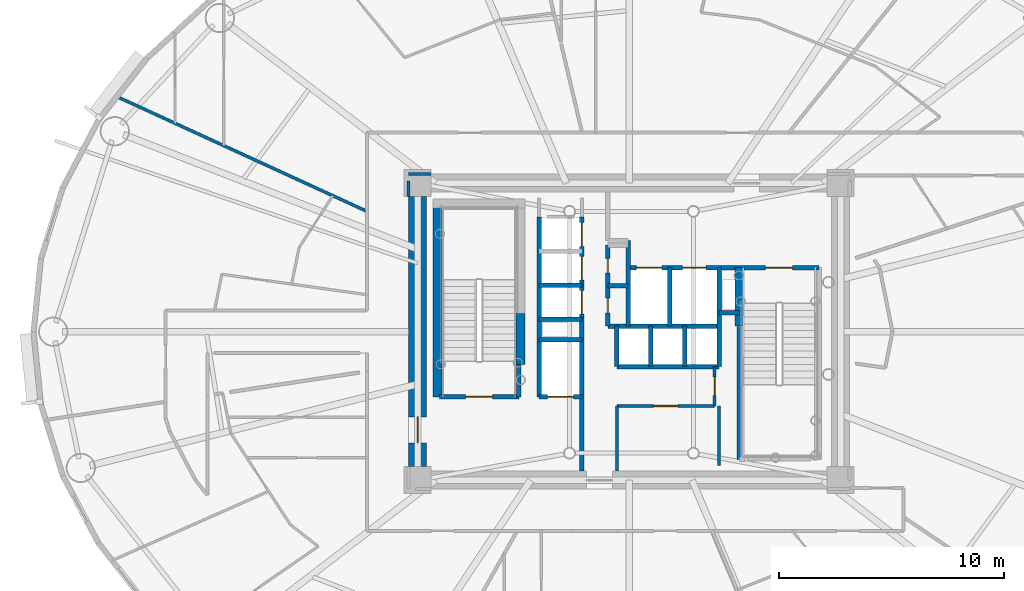
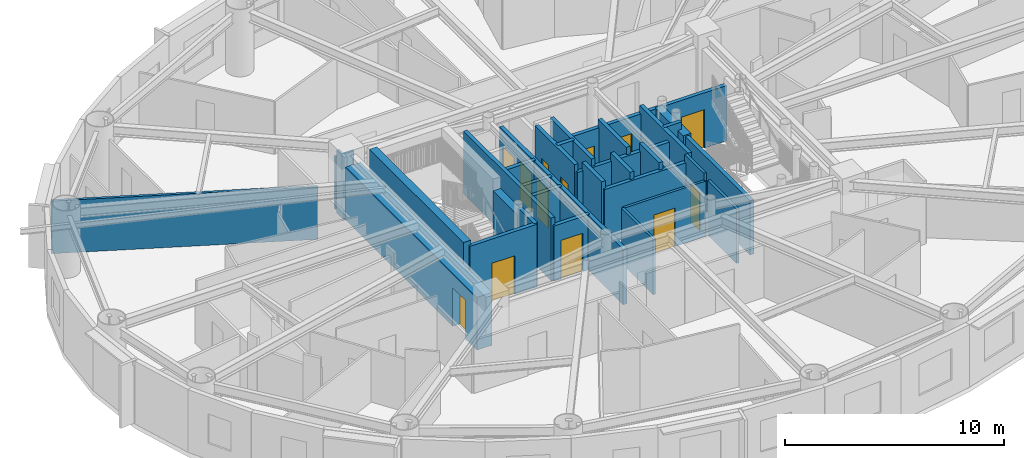
# One storey, part 8 of 18: 32 walls, 13 doors, 13 openings.
"""IFC4 building model written with IfcOpenShell, lengths in metres."""

from ifc_helpers import new_model, si_unit, direction, frame, frame_2d, origin, origin_2d, place, context, subcontext, project, spatial, rectangle, extrude, source, transform, mapped, material, layer, layer_set, type_object, element, fill, save


model = new_model("IFC4")

# Units and contexts
model_context = context("Model", 3, precision=1e-05, world=origin(), true_north=direction((0.0, 1.0)))
body_context = subcontext(model_context, "Body", "Model", "MODEL_VIEW")
ifc_project = project(units=[si_unit("LENGTHUNIT", "METRE"), si_unit("AREAUNIT", "SQUARE_METRE"), si_unit("VOLUMEUNIT", "CUBIC_METRE"), si_unit("PLANEANGLEUNIT", "RADIAN"), si_unit("MASSUNIT", "GRAM", prefix="KILO")], contexts=[model_context])

# Site, building, storey
site_placement = place(None, origin())
site = spatial("IfcSite", under=ifc_project, at=site_placement, CompositionType="ELEMENT")
building_placement = place(site_placement, origin())
building = spatial("IfcBuilding", under=site, at=building_placement, Name="Linh Dai School and Residence Tower", CompositionType="ELEMENT")
storey_placement = place(building_placement, frame((0.0, 0.0, 159.89990234375)))
storey = spatial("IfcBuildingStorey", under=building, at=storey_placement, Name="L38", CompositionType="ELEMENT", Elevation=159.89990234375)

# Walls
ifc_material_1 = material(Name="Autoclaved Aerated Concrete Blockwork", Category="masonry")
ifc_layer_1 = layer(ifc_material_1, 0.135009765625)
ifc_layer_set_1 = layer_set([ifc_layer_1], Name="Autoclaved Aerated Concrete Blockwork")
wall_type_1 = type_object("IfcWallType", Name="IW-CORR-135-EI90", PredefinedType="PARTITIONING", material=ifc_layer_set_1)
wall_1_placement = place(storey_placement, frame((13.228515625, 37.449951171875, 0.0), z_axis=(0.0, 0.0, 1.0), x_axis=(0.908867611309, -0.417084721746, 0.0)))
element("IfcWall", 1, at=wall_1_placement, inside=storey, type_object=wall_type_1, Name="L38 Interior Partition Wall 003", PredefinedType="PARTITIONING", context=body_context, shape_type="SweptSolid", body=[
    extrude(rectangle(XDim=12.23681640625, YDim=0.135009765625, at=frame_2d((6.118408203125, 0.0))), origin(), (0.0, 0.0, 1.0), 2.93505859375),
])
wall_2_placement = place(storey_placement, frame((35.449951171875, 20.800048828125, 0.0), z_axis=(0.0, 0.0, 1.0), x_axis=(0.0, 1.0, 0.0)))
element("IfcWall", 2, at=wall_2_placement, inside=storey, type_object=wall_type_1, Name="L38 Interior Partition Wall 054", PredefinedType="PARTITIONING", context=body_context, shape_type="SweptSolid", body=[
    extrude(rectangle(XDim=2.89990234375, YDim=0.135009765625, at=frame_2d((1.449951171875, 0.0))), origin(), (0.0, 0.0, 1.0), 3.085205078125),
])

# Wall, opening, door
wall_3_placement = place(storey_placement, frame((35.449951171875, 23.699951171875, 0.0), z_axis=(0.0, 0.0, 1.0), x_axis=(1.0, 0.0, 0.0)))
wall_3 = element("IfcWall", 3, at=wall_3_placement, inside=storey, type_object=wall_type_1, Name="L38 Interior Partition Wall 055", PredefinedType="PARTITIONING", context=body_context, shape_type="SweptSolid", body=[
    extrude(rectangle(XDim=4.35009765625, YDim=0.135009765625, at=frame_2d((2.175048828125, 0.0))), origin(), (0.0, 0.0, 1.0), 3.085205078125),
])
opening_1_placement = place(wall_3_placement, frame((1.625, 0.0, 0.0)))
opening_1 = element("IfcOpeningElement", 4, at=opening_1_placement, cuts=wall_3, Name="Opening D07", PredefinedType="OPENING", context=body_context, shape_type="SweptSolid", body=[
    extrude(rectangle(XDim=1.10009765625, YDim=2.14990234375, at=origin_2d()), frame((0.550048828125, 0.07763671875, 1.074951171875), z_axis=(0.0, -1.0, 0.0), x_axis=(1.0, 0.0, 0.0)), (0.0, 0.0, 1.0), 0.155029296875),
])
ifc_material_2 = material(Name="Fire-Rated Louvred Steel Plant Door", Category="steel")
door_type_1 = type_object("IfcDoorType", Name="DR-PLT-1100x2150-FD60S", OperationType="NOTDEFINED", PredefinedType="DOOR", material=ifc_material_2)
shared_shape_1 = source(origin(), body_context, "Body", "SweptSolid", [
    extrude(rectangle(XDim=1.10009765625, YDim=2.14990234375, at=origin_2d()), frame((0.550048828125, 0.02490234375, 1.074951171875), z_axis=(0.0, -1.0, 0.0), x_axis=(1.0, 0.0, 0.0)), (0.0, 0.0, 1.0), 0.050048828125),
])
door_1_placement = place(opening_1_placement, origin())
door_1 = element("IfcDoor", 5, at=door_1_placement, inside=storey, type_object=door_type_1, Name="L38 Tenant Metering and BMS Room Door", OperationType="SINGLE_SWING_LEFT", OverallHeight=2.14990234375, OverallWidth=1.10009765625, PredefinedType="DOOR", context=body_context, shape_type="MappedRepresentation", body=[
    mapped(shared_shape_1, transform((0.0, 0.0, 0.0), x_axis=(1.0, 0.0, 0.0), y_axis=(0.0, 1.0, 0.0), z_axis=(0.0, 0.0, 1.0), scale=1.0)),
])
fill(opening_1, door_1)

wall_4_placement = place(storey_placement, frame((39.800048828125, 23.699951171875, 0.0), z_axis=(0.0, 0.0, 1.0), x_axis=(0.0, 1.0, 0.0)))
wall_4 = element("IfcWall", 6, at=wall_4_placement, inside=storey, type_object=wall_type_1, Name="L38 Interior Partition Wall 067", PredefinedType="PARTITIONING", context=body_context, shape_type="SweptSolid", body=[
    extrude(rectangle(XDim=1.75, YDim=0.135009765625, at=frame_2d((0.875, 0.0))), origin(), (0.0, 0.0, 1.0), 3.5),
])
opening_2_placement = place(wall_4_placement, frame((0.465087890625, 0.0, 0.0)))
opening_2 = element("IfcOpeningElement", 7, at=opening_2_placement, cuts=wall_4, Name="Opening D06", PredefinedType="OPENING", context=body_context, shape_type="SweptSolid", body=[
    extrude(rectangle(XDim=0.820068359375, YDim=2.10009765625, at=origin_2d()), frame((0.41015625, 0.07763671875, 1.050048828125), z_axis=(0.0, -1.0, 0.0), x_axis=(1.0, 0.0, 0.0)), (0.0, 0.0, 1.0), 0.155029296875),
])
ifc_material_3 = material(Name="Moisture-Resistant Timber Bathroom Door", Category="wood")
door_type_2 = type_object("IfcDoorType", Name="DR-WET-820x2100", OperationType="NOTDEFINED", PredefinedType="DOOR", material=ifc_material_3)
shared_shape_2 = source(origin(), body_context, "Body", "SweptSolid", [
    extrude(rectangle(XDim=0.820068359375, YDim=2.10009765625, at=origin_2d()), frame((0.41015625, 0.02490234375, 1.050048828125), z_axis=(0.0, -1.0, 0.0), x_axis=(1.0, 0.0, 0.0)), (0.0, 0.0, 1.0), 0.050048828125),
])
door_2_placement = place(opening_2_placement, origin())
door_2 = element("IfcDoor", 8, at=door_2_placement, inside=storey, type_object=door_type_2, Name="L38 Core Housekeeping Store Door", OperationType="SINGLE_SWING_RIGHT", OverallHeight=2.10009765625, OverallWidth=0.820068359375, PredefinedType="DOOR", context=body_context, shape_type="MappedRepresentation", body=[
    mapped(shared_shape_2, transform((0.0, 0.0, 0.0), x_axis=(1.0, 0.0, 0.0), y_axis=(0.0, 1.0, 0.0), z_axis=(0.0, 0.0, 1.0), scale=1.0)),
])
fill(opening_2, door_2)

# Walls
wall_5_placement = place(storey_placement, frame((40.0, 23.699951171875, 0.0), z_axis=(0.0, 0.0, 1.0), x_axis=(0.0, -1.0, 0.0)))
element("IfcWall", 9, at=wall_5_placement, inside=storey, type_object=wall_type_1, Name="L38 Interior Partition Wall 097", PredefinedType="PARTITIONING", context=body_context, shape_type="SweptSolid", body=[
    extrude(rectangle(XDim=2.639892578125, YDim=0.135009765625, at=frame_2d((1.31982421875, 0.0))), origin(), (0.0, 0.0, 1.0), 3.03515625),
])
wall_6_placement = place(storey_placement, frame((27.18994140625, 34.0, 0.0), z_axis=(0.0, 0.0, 1.0), x_axis=(-1.0, 0.0, 0.0)))
element("IfcWall", 10, at=wall_6_placement, inside=storey, type_object=wall_type_1, Name="L38 Interior Partition Wall 102", PredefinedType="PARTITIONING", context=body_context, shape_type="SweptSolid", body=[
    extrude(rectangle(XDim=0.989990234375, YDim=0.135009765625, at=frame_2d((0.4951171875, 0.0))), origin(), (0.0, 0.0, 1.0), 2.93505859375),
])
wall_7_placement = place(storey_placement, frame((26.199951171875, 33.6923828125, 0.0), z_axis=(0.0, 0.0, 1.0), x_axis=(0.0, -1.0, 0.0)))
element("IfcWall", 11, at=wall_7_placement, inside=storey, type_object=wall_type_1, Name="L38 Interior Partition Wall 103", PredefinedType="PARTITIONING", context=body_context, shape_type="SweptSolid", body=[
    extrude(rectangle(XDim=0.682373046875, YDim=0.135009765625, at=frame_2d((0.34130859375, 0.0))), origin(), (0.0, 0.0, 1.0), 3.5),
])

# Wall, opening, door
ifc_material_4 = material(Name="Concrete B45 (C35/45)", Category="concrete")
ifc_layer_2 = layer(ifc_material_4, 0.199951171875)
ifc_layer_set_2 = layer_set([ifc_layer_2], Name="Concrete B45 (C35/45)")
wall_type_2 = type_object("IfcWallType", Name="IW-SHAFT-200-EI120", PredefinedType="PARTITIONING", material=ifc_layer_set_2)
wall_8_placement = place(storey_placement, frame((27.56005859375, 24.10009765625, 0.0), z_axis=(0.0, 0.0, 1.0), x_axis=(1.0, 0.0, 0.0)))
wall_8 = element("IfcWall", 12, at=wall_8_placement, inside=storey, type_object=wall_type_2, Name="L38 Interior Partition Wall 029", PredefinedType="PARTITIONING", context=body_context, shape_type="SweptSolid", body=[
    extrude(rectangle(XDim=3.5400390625, YDim=0.199951171875, at=frame_2d((1.77001953125, 0.0))), origin(), (0.0, 0.0, 1.0), 3.5),
])
opening_3_placement = place(wall_8_placement, frame((1.169921875, 0.0, 0.0)))
opening_3 = element("IfcOpeningElement", 13, at=opening_3_placement, cuts=wall_8, Name="Opening D01", PredefinedType="OPENING", context=body_context, shape_type="SweptSolid", body=[
    extrude(rectangle(XDim=1.199951171875, YDim=2.14990234375, at=origin_2d()), frame((0.60009765625, 0.10986328125, 1.074951171875), z_axis=(0.0, -1.0, 0.0), x_axis=(1.0, 0.0, 0.0)), (0.0, 0.0, 1.0), 0.219970703125),
])
ifc_material_5 = material(Name="Fire-Rated Steel Door Leaf", Category="steel")
door_type_3 = type_object("IfcDoorType", Name="DR-STAIR-1200x2150-FD90S", OperationType="NOTDEFINED", PredefinedType="DOOR", material=ifc_material_5)
shared_shape_3 = source(origin(), body_context, "Body", "SweptSolid", [
    extrude(rectangle(XDim=1.199951171875, YDim=2.14990234375, at=origin_2d()), frame((0.60009765625, 0.02490234375, 1.074951171875), z_axis=(0.0, -1.0, 0.0), x_axis=(1.0, 0.0, 0.0)), (0.0, 0.0, 1.0), 0.050048828125),
])
door_3_placement = place(opening_3_placement, origin())
door_3 = element("IfcDoor", 14, at=door_3_placement, inside=storey, type_object=door_type_3, Name="L38 Core Smokeproof Exit Stair ST1 Door", OperationType="SINGLE_SWING_RIGHT", OverallHeight=2.14990234375, OverallWidth=1.199951171875, PredefinedType="DOOR", context=body_context, shape_type="MappedRepresentation", body=[
    mapped(shared_shape_3, transform((0.0, 0.0, 0.0), x_axis=(1.0, 0.0, 0.0), y_axis=(0.0, 1.0, 0.0), z_axis=(0.0, 0.0, 1.0), scale=1.0)),
])
fill(opening_3, door_3)

# Walls
wall_9_placement = place(storey_placement, frame((31.10009765625, 24.10009765625, 0.0), z_axis=(0.0, 0.0, 1.0), x_axis=(0.0, 1.0, 0.0)))
element("IfcWall", 15, at=wall_9_placement, inside=storey, type_object=wall_type_2, Name="L38 Interior Partition Wall 034", PredefinedType="PARTITIONING", context=body_context, shape_type="SweptSolid", body=[
    extrude(rectangle(XDim=1.43994140625, YDim=0.199951171875, at=frame_2d((0.719970703125, 0.0))), origin(), (0.0, 0.0, 1.0), 3.5),
])
wall_10_placement = place(storey_placement, frame((32.0, 24.10009765625, 0.0), z_axis=(0.0, 0.0, 1.0), x_axis=(0.0, 1.0, 0.0)))
element("IfcWall", 16, at=wall_10_placement, inside=storey, type_object=wall_type_2, Name="L38 Interior Partition Wall 036", PredefinedType="PARTITIONING", context=body_context, shape_type="SweptSolid", body=[
    extrude(rectangle(XDim=8.0, YDim=0.199951171875, at=frame_2d((4.0, 0.0))), origin(), (0.0, 0.0, 1.0), 3.5),
])

# Wall, opening, door
wall_11_placement = place(storey_placement, frame((32.0, 24.10009765625, 0.0), z_axis=(0.0, 0.0, 1.0), x_axis=(1.0, 0.0, 0.0)))
wall_11 = element("IfcWall", 17, at=wall_11_placement, inside=storey, type_object=wall_type_2, Name="L38 Interior Partition Wall 037", PredefinedType="PARTITIONING", context=body_context, shape_type="SweptSolid", body=[
    extrude(rectangle(XDim=1.89990234375, YDim=0.199951171875, at=frame_2d((0.949951171875, 0.0))), origin(), (0.0, 0.0, 1.0), 3.085205078125),
])
opening_4_placement = place(wall_11_placement, frame((0.375, 0.0, 0.0)))
opening_4 = element("IfcOpeningElement", 18, at=opening_4_placement, cuts=wall_11, Name="Opening LD-FF2", PredefinedType="OPENING", context=body_context, shape_type="SweptSolid", body=[
    extrude(rectangle(XDim=1.14990234375, YDim=2.14990234375, at=origin_2d()), frame((0.574951171875, 0.10986328125, 1.074951171875), z_axis=(0.0, -1.0, 0.0), x_axis=(1.0, 0.0, 0.0)), (0.0, 0.0, 1.0), 0.219970703125),
])
ifc_material_6 = material(Name="Fire-Rated Stainless Steel Firefighting Lift Door", Category="steel")
door_type_4 = type_object("IfcDoorType", Name="DR-LD-FF-1150x2150-FD120", OperationType="DOUBLE_DOOR_SLIDING", PredefinedType="USERDEFINED", material=ifc_material_6)
shared_shape_4 = source(origin(), body_context, "Body", "SweptSolid", [
    extrude(rectangle(XDim=1.14990234375, YDim=2.14990234375, at=origin_2d()), frame((0.574951171875, 0.02490234375, 1.074951171875), z_axis=(0.0, -1.0, 0.0), x_axis=(1.0, 0.0, 0.0)), (0.0, 0.0, 1.0), 0.050048828125),
])
door_4_placement = place(opening_4_placement, origin())
door_4 = element("IfcDoor", 19, at=door_4_placement, inside=storey, type_object=door_type_4, Name="L38 Lift FF2 Sliding Landing Door", ObjectType="LANDING DOOR", OperationType="DOUBLE_DOOR_SLIDING", OverallHeight=2.14990234375, OverallWidth=1.14990234375, PredefinedType="USERDEFINED", context=body_context, shape_type="MappedRepresentation", body=[
    mapped(shared_shape_4, transform((0.0, 0.0, 0.0), x_axis=(1.0, 0.0, 0.0), y_axis=(0.0, 1.0, 0.0), z_axis=(0.0, 0.0, 1.0), scale=1.0)),
])
fill(opening_4, door_4)

# Walls
for number, where, z_axis, x_axis, name in (
    (20, (32.0, 26.64990234375, 0.0), (0.0, 0.0, 1.0), (1.0, 0.0, 0.0), "L38 Interior Partition Wall 038"),
    (21, (32.0, 27.550048828125, 0.0), (0.0, 0.0, 1.0), (1.0, 0.0, 0.0), "L38 Interior Partition Wall 039"),
    (22, (32.0, 29.06005859375, 0.0), (0.0, 0.0, 1.0), (1.0, 0.0, 0.0), "L38 Interior Partition Wall 040"),
):
    element("IfcWall", number, at=place(storey_placement, frame(where, z_axis=z_axis, x_axis=x_axis)), inside=storey, type_object=wall_type_2, Name=name, PredefinedType="PARTITIONING", context=body_context, shape_type="SweptSolid", body=[
        extrude(rectangle(XDim=1.89990234375, YDim=0.199951171875, at=frame_2d((0.949951171875, 0.0))), origin(), (0.0, 0.0, 1.0), 3.085205078125),
    ])

# Wall, openings, doors
wall_12_placement = place(storey_placement, frame((33.89990234375, 20.800048828125, 0.0), z_axis=(0.0, 0.0, 1.0), x_axis=(0.0, 1.0, 0.0)))
wall_12 = element("IfcWall", 23, at=wall_12_placement, inside=storey, type_object=wall_type_2, Name="L38 Interior Partition Wall 045", PredefinedType="PARTITIONING", context=body_context, shape_type="SweptSolid", body=[
    extrude(rectangle(XDim=11.300048828125, YDim=0.199951171875, at=frame_2d((5.64990234375, 0.0))), origin(), (0.0, 0.0, 1.0), 3.085205078125),
])
opening_5_placement = place(wall_12_placement, frame((6.97998046875, 0.0, 0.0)))
opening_5 = element("IfcOpeningElement", 24, at=opening_5_placement, cuts=wall_12, Name="Opening LD-PL4", PredefinedType="OPENING", context=body_context, shape_type="SweptSolid", body=[
    extrude(rectangle(XDim=1.050048828125, YDim=2.14990234375, at=origin_2d()), frame((0.52490234375, 0.10986328125, 1.074951171875), z_axis=(0.0, -1.0, 0.0), x_axis=(1.0, 0.0, 0.0)), (0.0, 0.0, 1.0), 0.219970703125),
])
opening_6_placement = place(wall_12_placement, frame((8.4951171875, 0.0, 0.0)))
opening_6 = element("IfcOpeningElement", 25, at=opening_6_placement, cuts=wall_12, Name="Opening LD-PL5", PredefinedType="OPENING", context=body_context, shape_type="SweptSolid", body=[
    extrude(rectangle(XDim=1.050048828125, YDim=2.14990234375, at=origin_2d()), frame((0.52490234375, 0.10986328125, 1.074951171875), z_axis=(0.0, -1.0, 0.0), x_axis=(1.0, 0.0, 0.0)), (0.0, 0.0, 1.0), 0.219970703125),
])
opening_7_placement = place(wall_12_placement, frame((9.9951171875, 0.0, 0.0)))
opening_7 = element("IfcOpeningElement", 26, at=opening_7_placement, cuts=wall_12, Name="Opening LD-PL6", PredefinedType="OPENING", context=body_context, shape_type="SweptSolid", body=[
    extrude(rectangle(XDim=1.050048828125, YDim=2.14990234375, at=origin_2d()), frame((0.52490234375, 0.10986328125, 1.074951171875), z_axis=(0.0, -1.0, 0.0), x_axis=(1.0, 0.0, 0.0)), (0.0, 0.0, 1.0), 0.219970703125),
])
ifc_material_7 = material(Name="Brushed Stainless Steel Lift Landing Door", Category="steel")
door_type_5 = type_object("IfcDoorType", Name="DR-LD-PASS-1050x2150", OperationType="DOUBLE_DOOR_SLIDING", PredefinedType="USERDEFINED", material=ifc_material_7)
shared_shape_5 = source(origin(), body_context, "Body", "SweptSolid", [
    extrude(rectangle(XDim=1.050048828125, YDim=2.14990234375, at=origin_2d()), frame((0.52490234375, 0.02490234375, 1.074951171875), z_axis=(0.0, -1.0, 0.0), x_axis=(1.0, 0.0, 0.0)), (0.0, 0.0, 1.0), 0.050048828125),
])
door_5_placement = place(opening_5_placement, origin())
door_5 = element("IfcDoor", 27, at=door_5_placement, inside=storey, type_object=door_type_5, Name="L38 Lift PL4 Sliding Landing Door", ObjectType="LANDING DOOR", OperationType="DOUBLE_DOOR_SLIDING", OverallHeight=2.14990234375, OverallWidth=1.050048828125, PredefinedType="USERDEFINED", context=body_context, shape_type="MappedRepresentation", body=[
    mapped(shared_shape_5, transform((0.0, 0.0, 0.0), x_axis=(1.0, 0.0, 0.0), y_axis=(0.0, 1.0, 0.0), z_axis=(0.0, 0.0, 1.0), scale=1.0)),
])
fill(opening_5, door_5)
door_6_placement = place(opening_6_placement, origin())
door_6 = element("IfcDoor", 28, at=door_6_placement, inside=storey, type_object=door_type_5, Name="L38 Lift PL5 Sliding Landing Door", ObjectType="LANDING DOOR", OperationType="DOUBLE_DOOR_SLIDING", OverallHeight=2.14990234375, OverallWidth=1.050048828125, PredefinedType="USERDEFINED", context=body_context, shape_type="MappedRepresentation", body=[
    mapped(shared_shape_5, transform((0.0, 0.0, 0.0), x_axis=(1.0, 0.0, 0.0), y_axis=(0.0, 1.0, 0.0), z_axis=(0.0, 0.0, 1.0), scale=1.0)),
])
fill(opening_6, door_6)
door_7_placement = place(opening_7_placement, origin())
door_7 = element("IfcDoor", 29, at=door_7_placement, inside=storey, type_object=door_type_5, Name="L38 Lift PL6 Sliding Landing Door", ObjectType="LANDING DOOR", OperationType="DOUBLE_DOOR_SLIDING", OverallHeight=2.14990234375, OverallWidth=1.050048828125, PredefinedType="USERDEFINED", context=body_context, shape_type="MappedRepresentation", body=[
    mapped(shared_shape_5, transform((0.0, 0.0, 0.0), x_axis=(1.0, 0.0, 0.0), y_axis=(0.0, 1.0, 0.0), z_axis=(0.0, 0.0, 1.0), scale=1.0)),
])
fill(opening_7, door_7)

wall_13_placement = place(storey_placement, frame((35.050048828125, 27.25, 0.0), z_axis=(0.0, 0.0, 1.0), x_axis=(0.0, 1.0, 0.0)))
wall_13 = element("IfcWall", 30, at=wall_13_placement, inside=storey, type_object=wall_type_2, Name="L38 Interior Partition Wall 048", PredefinedType="PARTITIONING", context=body_context, shape_type="SweptSolid", body=[
    extrude(rectangle(XDim=3.60009765625, YDim=0.199951171875, at=frame_2d((1.800048828125, 0.0))), origin(), (0.0, 0.0, 1.0), 3.5),
])
opening_8_placement = place(wall_13_placement, frame((0.590087890625, 0.0, 0.0)))
opening_8 = element("IfcOpeningElement", 31, at=opening_8_placement, cuts=wall_13, Name="Opening AD1", PredefinedType="OPENING", context=body_context, shape_type="SweptSolid", body=[
    extrude(rectangle(XDim=0.659912109375, YDim=2.050048828125, at=origin_2d()), frame((0.330078125, 0.10986328125, 1.02490234375), z_axis=(0.0, -1.0, 0.0), x_axis=(1.0, 0.0, 0.0)), (0.0, 0.0, 1.0), 0.219970703125),
])
opening_9_placement = place(wall_13_placement, frame((2.35009765625, 0.0, 0.0)))
opening_9 = element("IfcOpeningElement", 32, at=opening_9_placement, cuts=wall_13, Name="Opening AD1", PredefinedType="OPENING", context=body_context, shape_type="SweptSolid", body=[
    extrude(rectangle(XDim=0.659912109375, YDim=2.050048828125, at=origin_2d()), frame((0.330078125, 0.10986328125, 1.02490234375), z_axis=(0.0, -1.0, 0.0), x_axis=(1.0, 0.0, 0.0)), (0.0, 0.0, 1.0), 0.219970703125),
])
ifc_material_8 = material(Name="Fire-Rated Steel Riser Access Door", Category="steel")
door_type_6 = type_object("IfcDoorType", Name="DR-ACC-660x2050-FD90S", OperationType="NOTDEFINED", PredefinedType="USERDEFINED", material=ifc_material_8)
shared_shape_6 = source(origin(), body_context, "Body", "SweptSolid", [
    extrude(rectangle(XDim=0.659912109375, YDim=2.050048828125, at=origin_2d()), frame((0.330078125, 0.02490234375, 1.02490234375), z_axis=(0.0, -1.0, 0.0), x_axis=(1.0, 0.0, 0.0)), (0.0, 0.0, 1.0), 0.050048828125),
])
door_8_placement = place(opening_8_placement, origin())
door_8 = element("IfcDoor", 33, at=door_8_placement, inside=storey, type_object=door_type_6, Name="L38 Telecom and Data Riser Access Door", ObjectType="ACCESS DOOR", OperationType="SINGLE_SWING_LEFT", OverallHeight=2.050048828125, OverallWidth=0.659912109375, PredefinedType="USERDEFINED", context=body_context, shape_type="MappedRepresentation", body=[
    mapped(shared_shape_6, transform((0.0, 0.0, 0.0), x_axis=(1.0, 0.0, 0.0), y_axis=(0.0, 1.0, 0.0), z_axis=(0.0, 0.0, 1.0), scale=1.0)),
])
fill(opening_8, door_8)
door_9_placement = place(opening_9_placement, origin())
door_9 = element("IfcDoor", 34, at=door_9_placement, inside=storey, type_object=door_type_6, Name="L38 Mechanical and Plumbing Riser Access Door", ObjectType="ACCESS DOOR", OperationType="SINGLE_SWING_RIGHT", OverallHeight=2.050048828125, OverallWidth=0.659912109375, PredefinedType="USERDEFINED", context=body_context, shape_type="MappedRepresentation", body=[
    mapped(shared_shape_6, transform((0.0, 0.0, 0.0), x_axis=(1.0, 0.0, 0.0), y_axis=(0.0, 1.0, 0.0), z_axis=(0.0, 0.0, 1.0), scale=1.0)),
])
fill(opening_9, door_9)

# Walls
wall_14_placement = place(storey_placement, frame((35.050048828125, 27.25, 0.0), z_axis=(0.0, 0.0, 1.0), x_axis=(1.0, 0.0, 0.0)))
element("IfcWall", 35, at=wall_14_placement, inside=storey, type_object=wall_type_2, Name="L38 Interior Partition Wall 049", PredefinedType="PARTITIONING", context=body_context, shape_type="SweptSolid", body=[
    extrude(rectangle(XDim=4.949951171875, YDim=0.199951171875, at=frame_2d((2.47509765625, 0.0))), origin(), (0.0, 0.0, 1.0), 3.085205078125),
])
wall_15_placement = place(storey_placement, frame((35.050048828125, 29.050048828125, 0.0), z_axis=(0.0, 0.0, 1.0), x_axis=(1.0, 0.0, 0.0)))
element("IfcWall", 36, at=wall_15_placement, inside=storey, type_object=wall_type_2, Name="L38 Interior Partition Wall 050", PredefinedType="PARTITIONING", context=body_context, shape_type="SweptSolid", body=[
    extrude(rectangle(XDim=0.89990234375, YDim=0.199951171875, at=frame_2d((0.449951171875, 0.0))), origin(), (0.0, 0.0, 1.0), 3.5),
])
wall_16_placement = place(storey_placement, frame((35.449951171875, 25.449951171875, 0.0), z_axis=(0.0, 0.0, 1.0), x_axis=(0.0, 1.0, 0.0)))
element("IfcWall", 37, at=wall_16_placement, inside=storey, type_object=wall_type_2, Name="L38 Interior Partition Wall 056", PredefinedType="PARTITIONING", context=body_context, shape_type="SweptSolid", body=[
    extrude(rectangle(XDim=1.800048828125, YDim=0.199951171875, at=frame_2d((0.89990234375, 0.0))), origin(), (0.0, 0.0, 1.0), 3.5),
])
wall_17_placement = place(storey_placement, frame((35.449951171875, 25.449951171875, 0.0), z_axis=(0.0, 0.0, 1.0), x_axis=(1.0, 0.0, 0.0)))
element("IfcWall", 38, at=wall_17_placement, inside=storey, type_object=wall_type_2, Name="L38 Interior Partition Wall 057", PredefinedType="PARTITIONING", context=body_context, shape_type="SweptSolid", body=[
    extrude(rectangle(XDim=4.550048828125, YDim=0.199951171875, at=frame_2d((2.27490234375, 0.0))), origin(), (0.0, 0.0, 1.0), 3.085205078125),
])
wall_18_placement = place(storey_placement, frame((35.949951171875, 27.25, 0.0), z_axis=(0.0, 0.0, 1.0), x_axis=(0.0, 1.0, 0.0)))
element("IfcWall", 39, at=wall_18_placement, inside=storey, type_object=wall_type_2, Name="L38 Interior Partition Wall 059", PredefinedType="PARTITIONING", context=body_context, shape_type="SweptSolid", body=[
    extrude(rectangle(XDim=3.800048828125, YDim=0.199951171875, at=frame_2d((1.89990234375, 0.0))), origin(), (0.0, 0.0, 1.0), 3.5),
])

# Wall, openings, doors
wall_19_placement = place(storey_placement, frame((35.949951171875, 29.85009765625, 0.0), z_axis=(0.0, 0.0, 1.0), x_axis=(1.0, 0.0, 0.0)))
wall_19 = element("IfcWall", 40, at=wall_19_placement, inside=storey, type_object=wall_type_2, Name="L38 Interior Partition Wall 060", PredefinedType="PARTITIONING", context=body_context, shape_type="SweptSolid", body=[
    extrude(rectangle(XDim=8.489990234375, YDim=0.199951171875, at=frame_2d((4.2451171875, 0.0))), origin(), (0.0, 0.0, 1.0), 3.085205078125),
])
opening_10_placement = place(wall_19_placement, frame((6.10009765625, 0.0, 0.0)))
opening_10 = element("IfcOpeningElement", 41, at=opening_10_placement, cuts=wall_19, Name="Opening D01", PredefinedType="OPENING", context=body_context, shape_type="SweptSolid", body=[
    extrude(rectangle(XDim=1.199951171875, YDim=2.14990234375, at=origin_2d()), frame((0.60009765625, 0.10986328125, 1.074951171875), z_axis=(0.0, -1.0, 0.0), x_axis=(1.0, 0.0, 0.0)), (0.0, 0.0, 1.0), 0.219970703125),
])
opening_11_placement = place(wall_19_placement, frame((0.3701171875, 0.0, 0.0)))
opening_11 = element("IfcOpeningElement", 42, at=opening_11_placement, cuts=wall_19, Name="Opening LD-FF1", PredefinedType="OPENING", context=body_context, shape_type="SweptSolid", body=[
    extrude(rectangle(XDim=1.14990234375, YDim=2.14990234375, at=origin_2d()), frame((0.574951171875, 0.10986328125, 1.074951171875), z_axis=(0.0, -1.0, 0.0), x_axis=(1.0, 0.0, 0.0)), (0.0, 0.0, 1.0), 0.219970703125),
])
opening_12_placement = place(wall_19_placement, frame((2.425048828125, 0.0, 0.0)))
opening_12 = element("IfcOpeningElement", 43, at=opening_12_placement, cuts=wall_19, Name="Opening LD-SV1", PredefinedType="OPENING", context=body_context, shape_type="SweptSolid", body=[
    extrude(rectangle(XDim=1.050048828125, YDim=2.14990234375, at=origin_2d()), frame((0.52490234375, 0.10986328125, 1.074951171875), z_axis=(0.0, -1.0, 0.0), x_axis=(1.0, 0.0, 0.0)), (0.0, 0.0, 1.0), 0.219970703125),
])
door_10_placement = place(opening_10_placement, origin())
door_10 = element("IfcDoor", 44, at=door_10_placement, inside=storey, type_object=door_type_3, Name="L38 Core Smokeproof Exit Stair ST2 Door", OperationType="SINGLE_SWING_LEFT", OverallHeight=2.14990234375, OverallWidth=1.199951171875, PredefinedType="DOOR", context=body_context, shape_type="MappedRepresentation", body=[
    mapped(shared_shape_3, transform((0.0, 0.0, 0.0), x_axis=(1.0, 0.0, 0.0), y_axis=(0.0, 1.0, 0.0), z_axis=(0.0, 0.0, 1.0), scale=1.0)),
])
fill(opening_10, door_10)
door_11_placement = place(opening_11_placement, origin())
door_11 = element("IfcDoor", 45, at=door_11_placement, inside=storey, type_object=door_type_4, Name="L38 Lift FF1 Sliding Landing Door", ObjectType="LANDING DOOR", OperationType="DOUBLE_DOOR_SLIDING", OverallHeight=2.14990234375, OverallWidth=1.14990234375, PredefinedType="USERDEFINED", context=body_context, shape_type="MappedRepresentation", body=[
    mapped(shared_shape_4, transform((0.0, 0.0, 0.0), x_axis=(1.0, 0.0, 0.0), y_axis=(0.0, 1.0, 0.0), z_axis=(0.0, 0.0, 1.0), scale=1.0)),
])
fill(opening_11, door_11)
door_12_placement = place(opening_12_placement, origin())
door_12 = element("IfcDoor", 46, at=door_12_placement, inside=storey, type_object=door_type_5, Name="L38 Lift SV1 Sliding Landing Door", ObjectType="LANDING DOOR", OperationType="DOUBLE_DOOR_SLIDING", OverallHeight=2.14990234375, OverallWidth=1.050048828125, PredefinedType="USERDEFINED", context=body_context, shape_type="MappedRepresentation", body=[
    mapped(shared_shape_5, transform((0.0, 0.0, 0.0), x_axis=(1.0, 0.0, 0.0), y_axis=(0.0, 1.0, 0.0), z_axis=(0.0, 0.0, 1.0), scale=1.0)),
])
fill(opening_12, door_12)

# Walls
wall_20_placement = place(storey_placement, frame((36.9599609375, 25.449951171875, 0.0), z_axis=(0.0, 0.0, 1.0), x_axis=(0.0, 1.0, 0.0)))
element("IfcWall", 47, at=wall_20_placement, inside=storey, type_object=wall_type_2, Name="L38 Interior Partition Wall 061", PredefinedType="PARTITIONING", context=body_context, shape_type="SweptSolid", body=[
    extrude(rectangle(XDim=1.800048828125, YDim=0.199951171875, at=frame_2d((0.89990234375, 0.0))), origin(), (0.0, 0.0, 1.0), 3.5),
])
wall_21_placement = place(storey_placement, frame((37.800048828125, 27.25, 0.0), z_axis=(0.0, 0.0, 1.0), x_axis=(0.0, 1.0, 0.0)))
element("IfcWall", 48, at=wall_21_placement, inside=storey, type_object=wall_type_2, Name="L38 Interior Partition Wall 062", PredefinedType="PARTITIONING", context=body_context, shape_type="SweptSolid", body=[
    extrude(rectangle(XDim=2.60009765625, YDim=0.199951171875, at=frame_2d((1.300048828125, 0.0))), origin(), (0.0, 0.0, 1.0), 3.5),
])
wall_22_placement = place(storey_placement, frame((38.47998046875, 25.449951171875, 0.0), z_axis=(0.0, 0.0, 1.0), x_axis=(0.0, 1.0, 0.0)))
element("IfcWall", 49, at=wall_22_placement, inside=storey, type_object=wall_type_2, Name="L38 Interior Partition Wall 063", PredefinedType="PARTITIONING", context=body_context, shape_type="SweptSolid", body=[
    extrude(rectangle(XDim=1.800048828125, YDim=0.199951171875, at=frame_2d((0.89990234375, 0.0))), origin(), (0.0, 0.0, 1.0), 3.5),
])
wall_23_placement = place(storey_placement, frame((40.0, 25.449951171875, 0.0), z_axis=(0.0, 0.0, 1.0), x_axis=(0.0, 1.0, 0.0)))
element("IfcWall", 50, at=wall_23_placement, inside=storey, type_object=wall_type_2, Name="L38 Interior Partition Wall 068", PredefinedType="PARTITIONING", context=body_context, shape_type="SweptSolid", body=[
    extrude(rectangle(XDim=4.400146484375, YDim=0.199951171875, at=frame_2d((2.2001953125, 0.0))), origin(), (0.0, 0.0, 1.0), 3.5),
])
wall_24_placement = place(storey_placement, frame((40.0, 27.85009765625, 0.0), z_axis=(0.0, 0.0, 1.0), x_axis=(1.0, 0.0, 0.0)))
element("IfcWall", 51, at=wall_24_placement, inside=storey, type_object=wall_type_2, Name="L38 Interior Partition Wall 069", PredefinedType="PARTITIONING", context=body_context, shape_type="SweptSolid", body=[
    extrude(rectangle(XDim=0.89990234375, YDim=0.199951171875, at=frame_2d((0.449951171875, 0.0))), origin(), (0.0, 0.0, 1.0), 3.5),
])
wall_25_placement = place(storey_placement, frame((40.89990234375, 21.330078125, 0.0), z_axis=(0.0, 0.0, 1.0), x_axis=(0.0, 1.0, 0.0)))
element("IfcWall", 52, at=wall_25_placement, inside=storey, type_object=wall_type_2, Name="L38 Interior Partition Wall 071", PredefinedType="PARTITIONING", context=body_context, shape_type="SweptSolid", body=[
    extrude(rectangle(XDim=5.909912109375, YDim=0.199951171875, at=frame_2d((2.955078125, 0.0))), origin(), (0.0, 0.0, 1.0), 3.03515625),
])
ifc_layer_3 = layer(ifc_material_4, 0.39990234375)
ifc_layer_set_3 = layer_set([ifc_layer_3], Name="Concrete B45 (C35/45)")
wall_type_3 = type_object("IfcWallType", Name="WL-CORE400", PredefinedType="SHEAR", material=ifc_layer_set_3)
wall_26_placement = place(storey_placement, frame((27.47998046875, 24.10009765625, 0.0), z_axis=(0.0, 0.0, 1.0), x_axis=(0.0, 1.0, 0.0)))
element("IfcWall", 53, at=wall_26_placement, inside=storey, type_object=wall_type_3, Name="L38 Core Stair ST1 Bearing Wall W", PredefinedType="SHEAR", context=body_context, shape_type="SweptSolid", body=[
    extrude(rectangle(XDim=8.599853515625, YDim=0.39990234375, at=frame_2d((4.2998046875, 0.0))), origin(), (0.0, 0.0, 1.0), 3.75),
])
wall_27_placement = place(storey_placement, frame((31.179931640625, 25.550048828125, 0.0), z_axis=(0.0, 0.0, 1.0), x_axis=(0.0, 1.0, 0.0)))
element("IfcWall", 54, at=wall_27_placement, inside=storey, type_object=wall_type_3, Name="L38 Internal Core Shear Wall IW", PredefinedType="SHEAR", context=body_context, shape_type="SweptSolid", body=[
    extrude(rectangle(XDim=2.25, YDim=0.39990234375, at=frame_2d((1.125, 0.0))), origin(), (0.0, 0.0, 1.0), 3.10009765625),
])
wall_28_placement = place(storey_placement, frame((40.89990234375, 27.25, 0.0), z_axis=(0.0, 0.0, 1.0), x_axis=(0.0, 1.0, 0.0)))
element("IfcWall", 55, at=wall_28_placement, inside=storey, type_object=wall_type_3, Name="L38 Internal Core Shear Wall IE", PredefinedType="SHEAR", context=body_context, shape_type="SweptSolid", body=[
    extrude(rectangle(XDim=2.60009765625, YDim=0.39990234375, at=frame_2d((1.300048828125, 0.0))), origin(), (0.0, 0.0, 1.0), 3.10009765625),
])

# Wall, opening, door
ifc_material_9 = material(Name="Concrete B60 (C50/60)", Category="concrete")
ifc_layer_4 = layer(ifc_material_9, 0.800048828125)
ifc_layer_set_4 = layer_set([ifc_layer_4], Name="Concrete B60 (C50/60)")
wall_type_4 = type_object("IfcWallType", Name="WL-CORE800", PredefinedType="SHEAR", material=ifc_layer_set_4)
wall_29_placement = place(storey_placement, frame((26.60009765625, 21.0, 0.0), z_axis=(0.0, 0.0, 1.0), x_axis=(0.0, 1.0, 0.0)))
wall_29 = element("IfcWall", 56, at=wall_29_placement, inside=storey, type_object=wall_type_4, Name="L38 Central Core Shear Wall W", PredefinedType="SHEAR", context=body_context, shape_type="SweptSolid", body=[
    extrude(rectangle(XDim=12.0, YDim=0.800048828125, at=frame_2d((6.0, 0.0))), origin(), (0.0, 0.0, 1.0), 2.9501953125),
])
opening_13_placement = place(wall_29_placement, frame((1.061279296875, 0.0, 0.0)))
opening_13 = element("IfcOpeningElement", 57, at=opening_13_placement, cuts=wall_29, Name="Opening D02", PredefinedType="OPENING", context=body_context, shape_type="SweptSolid", body=[
    extrude(rectangle(XDim=1.14990234375, YDim=2.14990234375, at=origin_2d()), frame((0.574951171875, 0.41015625, 1.074951171875), z_axis=(0.0, -1.0, 0.0), x_axis=(1.0, 0.0, 0.0)), (0.0, 0.0, 1.0), 0.820068359375),
])
ifc_material_10 = material(Name="Fire-Rated Glazed Steel Lobby Door", Category="steel")
door_type_7 = type_object("IfcDoorType", Name="DR-LOBBY-1150x2150-FD90S", OperationType="NOTDEFINED", PredefinedType="DOOR", material=ifc_material_10)
shared_shape_7 = source(origin(), body_context, "Body", "SweptSolid", [
    extrude(rectangle(XDim=1.14990234375, YDim=2.14990234375, at=origin_2d()), frame((0.574951171875, 0.02490234375, 1.074951171875), z_axis=(0.0, -1.0, 0.0), x_axis=(1.0, 0.0, 0.0)), (0.0, 0.0, 1.0), 0.050048828125),
])
door_13_placement = place(opening_13_placement, origin())
door_13 = element("IfcDoor", 58, at=door_13_placement, inside=storey, type_object=door_type_7, Name="L38 Firefighting Lobby Door", OperationType="SINGLE_SWING_LEFT", OverallHeight=2.14990234375, OverallWidth=1.14990234375, PredefinedType="DOOR", context=body_context, shape_type="MappedRepresentation", body=[
    mapped(shared_shape_7, transform((0.0, 0.0, 0.0), x_axis=(1.0, 0.0, 0.0), y_axis=(0.0, 1.0, 0.0), z_axis=(0.0, 0.0, 1.0), scale=1.0)),
])
fill(opening_13, door_13)

save(model, "model.ifc")
